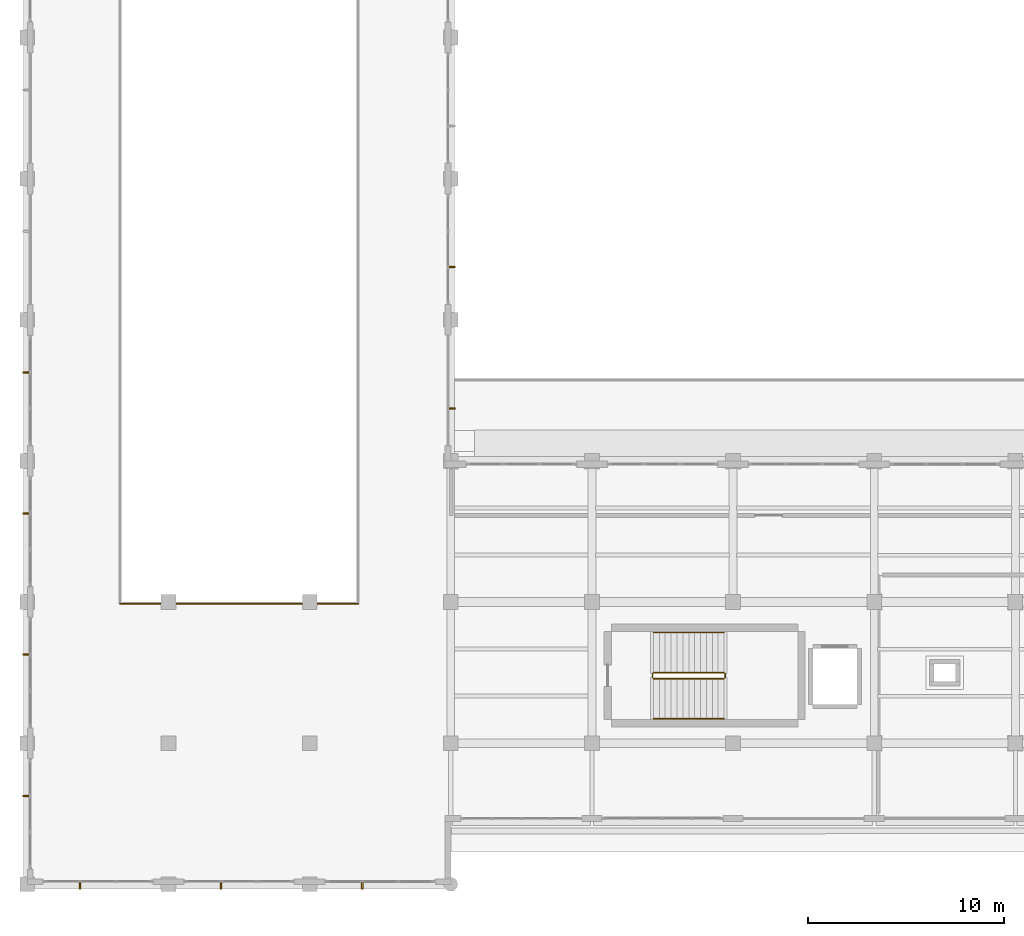
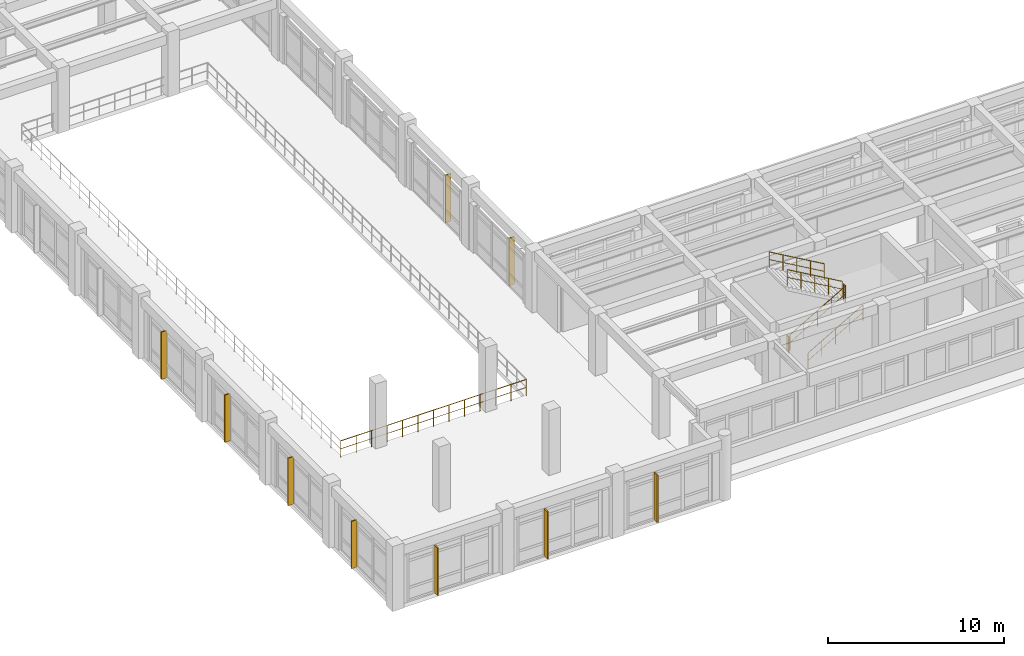
# One storey, part 53 of 64: 9 shading devices, 7 railings.
"""IFC4 building model written with IfcOpenShell, lengths in metres."""

from ifc_helpers import new_model, si_unit, direction, frame, origin, origin_2d, place, context, subcontext, project, spatial, rectangle, circle, extrude, material, material_profile, profile_set, type_object, element, save


model = new_model("IFC4")

# Units and contexts
model_context = context("Model", 3, precision=1e-05, world=origin(), true_north=direction((0.0, 1.0)))
body_context = subcontext(model_context, "Body", "Model", "MODEL_VIEW")
ifc_project = project(units=[si_unit("LENGTHUNIT", "METRE"), si_unit("AREAUNIT", "SQUARE_METRE"), si_unit("VOLUMEUNIT", "CUBIC_METRE"), si_unit("PLANEANGLEUNIT", "RADIAN"), si_unit("MASSUNIT", "GRAM", prefix="KILO")], contexts=[model_context])

# Site, building, storey
site_placement = place(None, origin())
site = spatial("IfcSite", under=ifc_project, at=site_placement, CompositionType="ELEMENT")
building_placement = place(site_placement, origin())
building = spatial("IfcBuilding", under=site, at=building_placement, Name="Solenvale Faculty of Natural Sciences", CompositionType="ELEMENT")
storey_placement = place(building_placement, frame((0.0, 0.0, 18.0)))
storey = spatial("IfcBuildingStorey", under=building, at=storey_placement, Name="L04", CompositionType="ELEMENT", Elevation=18.0)

# Railings
ifc_material_1 = material(Name="Stainless steel Grade 304", Category="steel")
railing_type_1 = type_object("IfcRailingType", Name="RL-GRD-1100", PredefinedType="GUARDRAIL", material=ifc_material_1)
railing_1_placement = place(storey_placement, frame((67.93994140625, 24.89990234375, 0.173095703125)))
element("IfcRailing", 1, at=railing_1_placement, inside=storey, type_object=railing_type_1, Name="L04 ST-03 stair guard 1", PredefinedType="GUARDRAIL", context=body_context, shape_type="SweptSolid", body=[
    extrude(circle(Radius=0.02392578125, at=origin_2d()), frame((0.0, 0.0, 1.09619140625), z_axis=(0.866193409371, 0.0, 0.499708892819), x_axis=(0.0, 1.0, 0.0)), (0.0, 0.0, 1.0), 4.15625),
    extrude(circle(Radius=0.01611328125, at=origin_2d()), frame((0.0, 0.0, 0.56005859375), z_axis=(0.866193409371, 0.0, 0.499708892819), x_axis=(0.0, 1.0, 0.0)), (0.0, 0.0, 1.0), 4.15625),
    extrude(circle(Radius=0.02099609375, at=origin_2d()), origin(), (0.0, 0.0, 1.0), 1.072021484375),
    extrude(circle(Radius=0.02099609375, at=origin_2d()), frame((0.89990234375, 0.0, 0.519287109375)), (0.0, 0.0, 1.0), 1.072021484375),
    extrude(circle(Radius=0.02099609375, at=origin_2d()), frame((1.800048828125, 0.0, 1.03857421875)), (0.0, 0.0, 1.0), 1.072021484375),
    extrude(circle(Radius=0.02099609375, at=origin_2d()), frame((2.7001953125, 0.0, 1.5576171875)), (0.0, 0.0, 1.0), 1.072021484375),
    extrude(circle(Radius=0.02099609375, at=origin_2d()), frame((3.60009765625, 0.0, 2.076904296875)), (0.0, 0.0, 1.0), 1.072021484375),
])
railing_2_placement = place(storey_placement, frame((71.590087890625, 24.949951171875, 2.25)))
element("IfcRailing", 2, at=railing_2_placement, inside=storey, type_object=railing_type_1, Name="L04 ST-03 stair guard 2", PredefinedType="GUARDRAIL", context=body_context, shape_type="SweptSolid", body=[
    extrude(circle(Radius=0.02392578125, at=origin_2d()), frame((0.0, 0.0, 1.09619140625), z_axis=(0.0, 1.0, 0.0), x_axis=(-1.0, 0.0, 0.0)), (0.0, 0.0, 1.0), 0.199951171875),
    extrude(circle(Radius=0.01611328125, at=origin_2d()), frame((0.0, 0.0, 0.56005859375), z_axis=(0.0, 1.0, 0.0), x_axis=(-1.0, 0.0, 0.0)), (0.0, 0.0, 1.0), 0.199951171875),
    extrude(circle(Radius=0.02099609375, at=origin_2d()), origin(), (0.0, 0.0, 1.0), 1.072021484375),
    extrude(circle(Radius=0.02099609375, at=origin_2d()), frame((0.0, 0.199951171875, 0.0)), (0.0, 0.0, 1.0), 1.072021484375),
])
railing_3_placement = place(storey_placement, frame((71.5400390625, 25.199951171875, 2.423095703125)))
element("IfcRailing", 3, at=railing_3_placement, inside=storey, type_object=railing_type_1, Name="L04 ST-03 stair guard 3", PredefinedType="GUARDRAIL", context=body_context, shape_type="SweptSolid", body=[
    extrude(circle(Radius=0.02392578125, at=origin_2d()), frame((0.0, 0.0, 1.09619140625), z_axis=(-0.866193409371, 0.0, 0.499708892819), x_axis=(0.0, -1.0, 0.0)), (0.0, 0.0, 1.0), 4.15625),
    extrude(circle(Radius=0.01611328125, at=origin_2d()), frame((0.0, 0.0, 0.56005859375), z_axis=(-0.866193409371, 0.0, 0.499708892819), x_axis=(0.0, -1.0, 0.0)), (0.0, 0.0, 1.0), 4.15625),
    extrude(circle(Radius=0.02099609375, at=origin_2d()), origin(), (0.0, 0.0, 1.0), 1.072021484375),
    extrude(circle(Radius=0.02099609375, at=origin_2d()), frame((-0.89990234375, 0.0, 0.519287109375)), (0.0, 0.0, 1.0), 1.072021484375),
    extrude(circle(Radius=0.02099609375, at=origin_2d()), frame((-1.800048828125, 0.0, 1.03857421875)), (0.0, 0.0, 1.0), 1.072021484375),
    extrude(circle(Radius=0.02099609375, at=origin_2d()), frame((-2.7001953125, 0.0, 1.5576171875)), (0.0, 0.0, 1.0), 1.072021484375),
    extrude(circle(Radius=0.02099609375, at=origin_2d()), frame((-3.60009765625, 0.0, 2.076904296875)), (0.0, 0.0, 1.0), 1.072021484375),
])
railing_4_placement = place(storey_placement, frame((67.889892578125, 24.949951171875, 0.0)))
element("IfcRailing", 4, at=railing_4_placement, inside=storey, type_object=railing_type_1, Name="L04 ST-03 stair guard 4", PredefinedType="GUARDRAIL", context=body_context, shape_type="SweptSolid", body=[
    extrude(circle(Radius=0.02392578125, at=origin_2d()), frame((0.0, 0.0, 1.09619140625), z_axis=(0.0, 1.0, 0.0), x_axis=(-1.0, 0.0, 0.0)), (0.0, 0.0, 1.0), 0.199951171875),
    extrude(circle(Radius=0.01611328125, at=origin_2d()), frame((0.0, 0.0, 0.56005859375), z_axis=(0.0, 1.0, 0.0), x_axis=(-1.0, 0.0, 0.0)), (0.0, 0.0, 1.0), 0.199951171875),
    extrude(circle(Radius=0.02099609375, at=origin_2d()), origin(), (0.0, 0.0, 1.0), 1.072021484375),
    extrude(circle(Radius=0.02099609375, at=origin_2d()), frame((0.0, 0.199951171875, 0.0)), (0.0, 0.0, 1.0), 1.072021484375),
])
railing_type_2 = type_object("IfcRailingType", Name="RL-GRD-ATR-1150", PredefinedType="GUARDRAIL", material=ifc_material_1)
railing_5_placement = place(storey_placement, frame((40.719970703125, 28.719970703125, 0.0)))
element("IfcRailing", 5, at=railing_5_placement, inside=storey, type_object=railing_type_2, Name="L04 Atrium Gallery Guardrail S", PredefinedType="GUARDRAIL", context=body_context, shape_type="SweptSolid", body=[
    extrude(circle(Radius=0.02392578125, at=origin_2d()), frame((0.0, 0.0, 1.1357421875), z_axis=(1.0, 0.0, 0.0), x_axis=(0.0, 1.0, 0.0)), (0.0, 0.0, 1.0), 12.159912109375),
    extrude(circle(Radius=0.01611328125, at=origin_2d()), frame((0.0, 0.0, 0.580078125), z_axis=(1.0, 0.0, 0.0), x_axis=(0.0, 1.0, 0.0)), (0.0, 0.0, 1.0), 12.159912109375),
    extrude(circle(Radius=0.02099609375, at=origin_2d()), origin(), (0.0, 0.0, 1.0), 1.11181640625),
    extrude(circle(Radius=0.02099609375, at=origin_2d()), frame((1.013427734375, 0.0, 0.0)), (0.0, 0.0, 1.0), 1.11181640625),
    extrude(circle(Radius=0.02099609375, at=origin_2d()), frame((2.026611328125, 0.0, 0.0)), (0.0, 0.0, 1.0), 1.11181640625),
    extrude(circle(Radius=0.02099609375, at=origin_2d()), frame((3.0400390625, 0.0, 0.0)), (0.0, 0.0, 1.0), 1.11181640625),
    extrude(circle(Radius=0.02099609375, at=origin_2d()), frame((4.05322265625, 0.0, 0.0)), (0.0, 0.0, 1.0), 1.11181640625),
    extrude(circle(Radius=0.02099609375, at=origin_2d()), frame((5.066650390625, 0.0, 0.0)), (0.0, 0.0, 1.0), 1.11181640625),
    extrude(circle(Radius=0.02099609375, at=origin_2d()), frame((6.080078125, 0.0, 0.0)), (0.0, 0.0, 1.0), 1.11181640625),
    extrude(circle(Radius=0.02099609375, at=origin_2d()), frame((7.09326171875, 0.0, 0.0)), (0.0, 0.0, 1.0), 1.11181640625),
    extrude(circle(Radius=0.02099609375, at=origin_2d()), frame((8.106689453125, 0.0, 0.0)), (0.0, 0.0, 1.0), 1.11181640625),
    extrude(circle(Radius=0.02099609375, at=origin_2d()), frame((9.119873046875, 0.0, 0.0)), (0.0, 0.0, 1.0), 1.11181640625),
    extrude(circle(Radius=0.02099609375, at=origin_2d()), frame((10.13330078125, 0.0, 0.0)), (0.0, 0.0, 1.0), 1.11181640625),
    extrude(circle(Radius=0.02099609375, at=origin_2d()), frame((11.146484375, 0.0, 0.0)), (0.0, 0.0, 1.0), 1.11181640625),
    extrude(circle(Radius=0.02099609375, at=origin_2d()), frame((12.159912109375, 0.0, 0.0)), (0.0, 0.0, 1.0), 1.11181640625),
])
railing_type_3 = type_object("IfcRailingType", Name="RL-HND-900", PredefinedType="HANDRAIL", material=ifc_material_1)
railing_6_placement = place(storey_placement, frame((67.93994140625, 22.85009765625, 0.173095703125)))
element("IfcRailing", 6, at=railing_6_placement, inside=storey, type_object=railing_type_3, Name="L04 ST-03 stair handrail 1", PredefinedType="HANDRAIL", context=body_context, shape_type="SweptSolid", body=[
    extrude(circle(Radius=0.02392578125, at=origin_2d()), frame((0.0, 0.0, 1.0732421875), z_axis=(0.866193409371, 0.0, 0.499708892819), x_axis=(0.0, 1.0, 0.0)), (0.0, 0.0, 1.0), 4.15625),
    extrude(circle(Radius=0.01611328125, at=origin_2d()), frame((0.0, 0.0, 0.548583984375), z_axis=(0.866193409371, 0.0, 0.499708892819), x_axis=(0.0, 1.0, 0.0)), (0.0, 0.0, 1.0), 4.15625),
    extrude(circle(Radius=0.02099609375, at=origin_2d()), origin(), (0.0, 0.0, 1.0), 1.049072265625),
    extrude(circle(Radius=0.02099609375, at=origin_2d()), frame((0.89990234375, 0.0, 0.519287109375)), (0.0, 0.0, 1.0), 1.049072265625),
    extrude(circle(Radius=0.02099609375, at=origin_2d()), frame((1.800048828125, 0.0, 1.03857421875)), (0.0, 0.0, 1.0), 1.049072265625),
    extrude(circle(Radius=0.02099609375, at=origin_2d()), frame((2.7001953125, 0.0, 1.5576171875)), (0.0, 0.0, 1.0), 1.049072265625),
    extrude(circle(Radius=0.02099609375, at=origin_2d()), frame((3.60009765625, 0.0, 2.076904296875)), (0.0, 0.0, 1.0), 1.049072265625),
])
railing_7_placement = place(storey_placement, frame((71.5400390625, 27.25, 2.423095703125)))
element("IfcRailing", 7, at=railing_7_placement, inside=storey, type_object=railing_type_3, Name="L04 ST-03 stair handrail 2", PredefinedType="HANDRAIL", context=body_context, shape_type="SweptSolid", body=[
    extrude(circle(Radius=0.02392578125, at=origin_2d()), frame((0.0, 0.0, 1.0732421875), z_axis=(-0.866193409371, 0.0, 0.499708892819), x_axis=(0.0, -1.0, 0.0)), (0.0, 0.0, 1.0), 4.15625),
    extrude(circle(Radius=0.01611328125, at=origin_2d()), frame((0.0, 0.0, 0.548583984375), z_axis=(-0.866193409371, 0.0, 0.499708892819), x_axis=(0.0, -1.0, 0.0)), (0.0, 0.0, 1.0), 4.15625),
    extrude(circle(Radius=0.02099609375, at=origin_2d()), origin(), (0.0, 0.0, 1.0), 1.049072265625),
    extrude(circle(Radius=0.02099609375, at=origin_2d()), frame((-0.89990234375, 0.0, 0.519287109375)), (0.0, 0.0, 1.0), 1.049072265625),
    extrude(circle(Radius=0.02099609375, at=origin_2d()), frame((-1.800048828125, 0.0, 1.03857421875)), (0.0, 0.0, 1.0), 1.049072265625),
    extrude(circle(Radius=0.02099609375, at=origin_2d()), frame((-2.7001953125, 0.0, 1.5576171875)), (0.0, 0.0, 1.0), 1.049072265625),
    extrude(circle(Radius=0.02099609375, at=origin_2d()), frame((-3.60009765625, 0.0, 2.076904296875)), (0.0, 0.0, 1.0), 1.049072265625),
])

# Shading devices
ifc_material_2 = material(Name="Anodised bronze aluminium", Category="aluminium")
ifc_material_profile = material_profile(ifc_material_2, rectangle(XDim=0.080078125, YDim=0.360107421875, at=origin_2d()), Name="ALU-FIN-80x360")
ifc_profile_set = profile_set([ifc_material_profile], Name="Anodised bronze aluminium")
shading_device_type = type_object("IfcShadingDeviceType", Name="SHD-FIN-360", PredefinedType="JALOUSIE", material=ifc_profile_set)
for number, where, z_axis, x_axis, name in (
    (8, (57.659912109375, 38.683349609375, -0.02001953125), (0.0, 0.0, 1.0), (0.0, 1.0, 0.0), "L04 Vertical Brise-Soleil Fin 1.1"),
    (9, (57.659912109375, 45.88330078125, -0.02001953125), (0.0, 0.0, 1.0), (0.0, 1.0, 0.0), "L04 Vertical Brise-Soleil Fin 1.2"),
    (10, (35.93994140625, 40.5166015625, -0.02001953125), (0.0, 0.0, 1.0), (0.0, 1.0, 0.0), "L04 Vertical Brise-Soleil Fin 3.8"),
    (11, (35.93994140625, 33.316650390625, -0.02001953125), (0.0, 0.0, 1.0), (0.0, 1.0, 0.0), "L04 Vertical Brise-Soleil Fin 3.9"),
    (12, (35.93994140625, 26.11669921875, -0.02001953125), (0.0, 0.0, 1.0), (0.0, 1.0, 0.0), "L04 Vertical Brise-Soleil Fin 3.10"),
    (13, (35.93994140625, 18.916748046875, -0.02001953125), (0.0, 0.0, 1.0), (0.0, 1.0, 0.0), "L04 Vertical Brise-Soleil Fin 3.11"),
    (14, (38.683349609375, 14.340087890625, -0.02001953125), (0.0, 0.0, 1.0), (1.0, 0.0, 0.0), "L04 Vertical Brise-Soleil Fin 4.1"),
    (15, (45.88330078125, 14.340087890625, -0.02001953125), (0.0, 0.0, 1.0), (1.0, 0.0, 0.0), "L04 Vertical Brise-Soleil Fin 4.2"),
    (16, (53.083251953125, 14.340087890625, -0.02001953125), (0.0, 0.0, 1.0), (1.0, 0.0, 0.0), "L04 Vertical Brise-Soleil Fin 4.3"),
):
    element("IfcShadingDevice", number, at=place(storey_placement, frame(where, z_axis=z_axis, x_axis=x_axis)), inside=storey, type_object=shading_device_type, Name=name, PredefinedType="JALOUSIE", context=body_context, shape_type="SweptSolid", body=[
        extrude(rectangle(XDim=0.080078125, YDim=0.360107421875, at=origin_2d()), origin(), (0.0, 0.0, 1.0), 3.280029296875),
    ])

save(model, "model.ifc")
